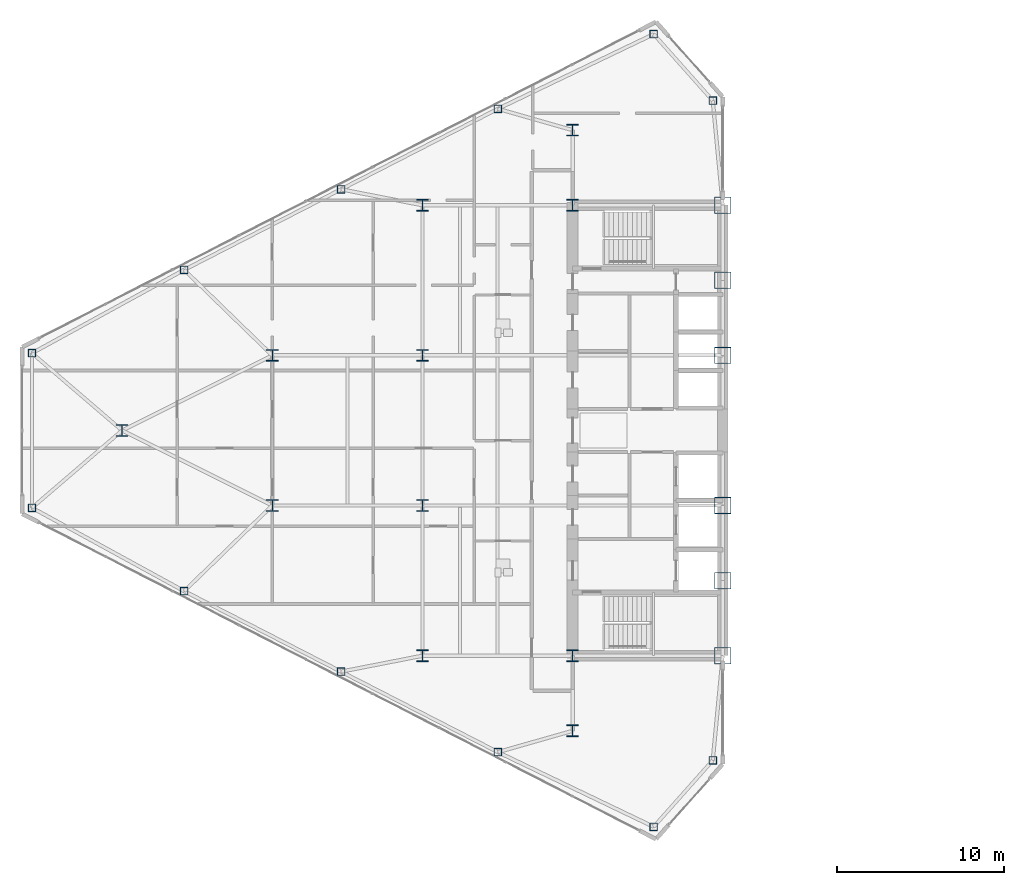
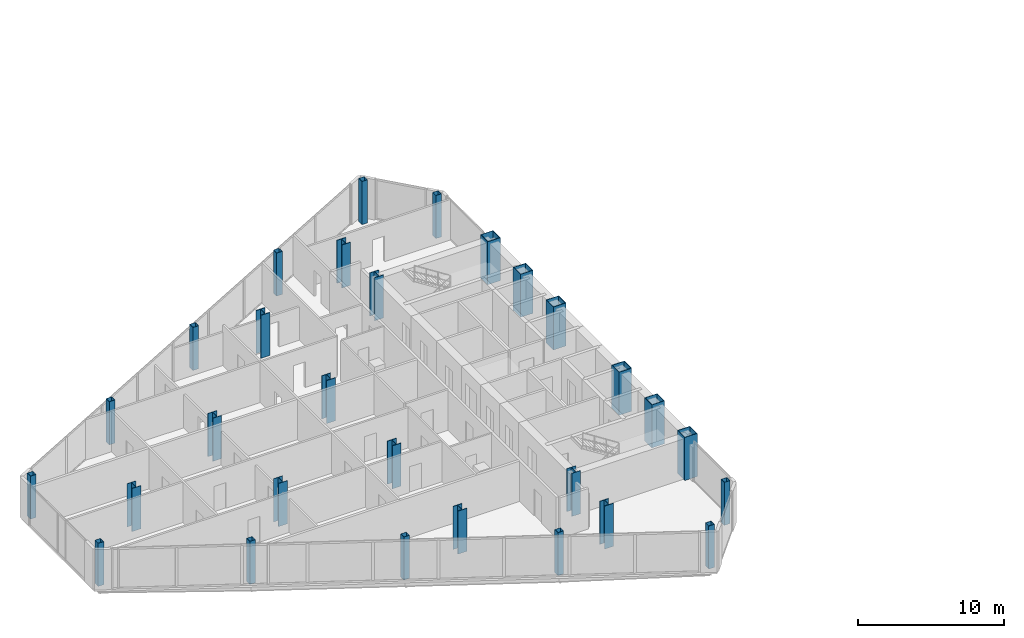
# One storey, part 1 of 24: 29 columns.
"""IFC4 building model written with IfcOpenShell, lengths in metres."""

from ifc_helpers import new_model, si_unit, direction, frame, origin, origin_2d, place, context, subcontext, project, spatial, hollow_rectangle, i_section, extrude, source, transform, mapped, material, material_profile, profile_set, type_object, type_shapes, element, save


model = new_model("IFC4")

# Units and contexts
model_context = context("Model", 3, precision=1e-05, world=origin(), true_north=direction((0.0, 1.0)))
body_context = subcontext(model_context, "Body", "Model", "MODEL_VIEW")
ifc_project = project(units=[si_unit("LENGTHUNIT", "METRE"), si_unit("AREAUNIT", "SQUARE_METRE"), si_unit("VOLUMEUNIT", "CUBIC_METRE"), si_unit("PLANEANGLEUNIT", "RADIAN"), si_unit("MASSUNIT", "GRAM", prefix="KILO")], contexts=[model_context])

# Site, building, storey
site_placement = place(None, origin())
site = spatial("IfcSite", under=ifc_project, at=site_placement, CompositionType="ELEMENT")
building_placement = place(site_placement, origin())
building = spatial("IfcBuilding", under=site, at=building_placement, Name="Seokmaru Belvedere", CompositionType="ELEMENT")
storey_placement = place(building_placement, frame((0.0, 0.0, 117.60009765625)))
storey = spatial("IfcBuildingStorey", under=building, at=storey_placement, Name="L31", CompositionType="ELEMENT", Elevation=117.60009765625)

# Columns
ifc_material_1 = material(Name="Steel HSA650 (650 MPa)", Category="steel")
ifc_material_profile_1 = material_profile(ifc_material_1, hollow_rectangle(XDim=1.0, YDim=1.0, WallThickness=0.0419921875, at=origin_2d()), Name="BOX-1000x1000x42")
ifc_profile_set_1 = profile_set([ifc_material_profile_1], Name="Steel HSA650 (650 MPa)")
column_type_1 = type_object("IfcColumnType", Name="Portal Spine Column BOX-1000", PredefinedType="COLUMN", material=ifc_profile_set_1)
shared_shape_1 = source(origin(), body_context, "Body", "SweptSolid", [
    extrude(hollow_rectangle(XDim=1.0, YDim=1.0, WallThickness=0.0419921875, at=origin_2d()), origin(), (0.0, 0.0, 1.0), 3.599853515625),
])
type_shapes(column_type_1, [shared_shape_1])
for number, where, z_axis, x_axis, name in (
    (1, (-27.5, -13.5, 0.0), (0.0, 0.0, 1.0), (1.0, 0.0, 0.0), "L31 Column WS1"),
    (2, (-27.5, -9.0, 0.0), (0.0, 0.0, 1.0), (1.0, 0.0, 0.0), "L31 Column WS2"),
    (3, (-27.5, -4.5, 0.0), (0.0, 0.0, 1.0), (1.0, 0.0, 0.0), "L31 Column WS3"),
    (4, (-27.5, 4.5, 0.0), (0.0, 0.0, 1.0), (1.0, 0.0, 0.0), "L31 Column WS4"),
    (5, (-27.5, 9.0, 0.0), (0.0, 0.0, 1.0), (1.0, 0.0, 0.0), "L31 Column WS5"),
    (6, (-27.5, 13.5, 0.0), (0.0, 0.0, 1.0), (1.0, 0.0, 0.0), "L31 Column WS6"),
):
    element("IfcColumn", number, at=place(storey_placement, frame(where, z_axis=z_axis, x_axis=x_axis)), inside=storey, type_object=column_type_1, Name=name, PredefinedType="COLUMN", context=body_context, shape_type="MappedRepresentation", body=[
        mapped(shared_shape_1, transform((0.0, 0.0, 0.0), scale=1.0)),
    ])
ifc_material_2 = material(Name="Steel SM355 (355 MPa)", Category="steel")
ifc_material_profile_2 = material_profile(ifc_material_2, i_section(OverallWidth=0.699951171875, OverallDepth=0.699951171875, WebThickness=0.028076171875, FlangeThickness=0.044921875, at=origin_2d()), Name="H-700x700x28x45")
ifc_profile_set_2 = profile_set([ifc_material_profile_2], Name="Steel SM355 (355 MPa)")
column_type_2 = type_object("IfcColumnType", Name="Mid Interior Column H-700", PredefinedType="COLUMN", material=ifc_profile_set_2)
shared_shape_2 = source(origin(), body_context, "Body", "SweptSolid", [
    extrude(i_section(OverallWidth=0.699951171875, OverallDepth=0.699951171875, WebThickness=0.028076171875, FlangeThickness=0.044921875, at=origin_2d()), origin(), (0.0, 0.0, 1.0), 3.599853515625),
])
type_shapes(column_type_2, [shared_shape_2])
for number, where, z_axis, x_axis, name in (
    (7, (-36.5, -18.0, 0.0), (0.0, 0.0, 1.0), (1.0, 0.0, 0.0), "L31 Column WC1"),
    (8, (-36.5, -13.5, 0.0), (0.0, 0.0, 1.0), (1.0, 0.0, 0.0), "L31 Column WC2"),
    (9, (-36.5, 13.5, 0.0), (0.0, 0.0, 1.0), (1.0, 0.0, 0.0), "L31 Column WC3"),
    (10, (-36.5, 18.0, 0.0), (0.0, 0.0, 1.0), (1.0, 0.0, 0.0), "L31 Column WC4"),
    (11, (-45.5, -13.5, 0.0), (0.0, 0.0, 1.0), (1.0, 0.0, 0.0), "L31 Column WG5_1"),
    (12, (-45.5, -4.5, 0.0), (0.0, 0.0, 1.0), (1.0, 0.0, 0.0), "L31 Column WG5_2"),
    (13, (-45.5, 4.5, 0.0), (0.0, 0.0, 1.0), (1.0, 0.0, 0.0), "L31 Column WG5_3"),
    (14, (-45.5, 13.5, 0.0), (0.0, 0.0, 1.0), (1.0, 0.0, 0.0), "L31 Column WG5_4"),
    (15, (-54.5, -4.5, 0.0), (0.0, 0.0, 1.0), (1.0, 0.0, 0.0), "L31 Column WG4P_1"),
    (16, (-54.5, 4.5, 0.0), (0.0, 0.0, 1.0), (1.0, 0.0, 0.0), "L31 Column WG4P_2"),
    (17, (-63.5, 0.0, 0.0), (0.0, 0.0, 1.0), (1.0, 0.0, 0.0), "L31 Column WG3P_1"),
):
    element("IfcColumn", number, at=place(storey_placement, frame(where, z_axis=z_axis, x_axis=x_axis)), inside=storey, type_object=column_type_2, Name=name, PredefinedType="COLUMN", context=body_context, shape_type="MappedRepresentation", body=[
        mapped(shared_shape_2, transform((0.0, 0.0, 0.0), scale=1.0)),
    ])
ifc_material_profile_3 = material_profile(ifc_material_2, hollow_rectangle(XDim=0.449951171875, YDim=0.449951171875, WallThickness=0.01806640625, at=origin_2d()), Name="HSS-450x450x18")
ifc_profile_set_3 = profile_set([ifc_material_profile_3], Name="Steel SM355 (355 MPa)")
column_type_3 = type_object("IfcColumnType", Name="Perimeter Facet Column HSS-450", PredefinedType="COLUMN", material=ifc_profile_set_3)
shared_shape_3 = source(origin(), body_context, "Body", "SweptSolid", [
    extrude(hollow_rectangle(XDim=0.449951171875, YDim=0.449951171875, WallThickness=0.01806640625, at=origin_2d()), origin(), (0.0, 0.0, 1.0), 3.599853515625),
])
type_shapes(column_type_3, [shared_shape_3])
for number, where, z_axis, x_axis, name in (
    (18, (-28.10009765625, -19.77197265625, 0.0), (0.0, 0.0, 1.0), (1.0, 0.0, 0.0), "L31 Column WF1"),
    (19, (-28.10009765625, 19.77197265625, 0.0), (0.0, 0.0, 1.0), (1.0, 0.0, 0.0), "L31 Column WF2"),
    (20, (-31.6396484375, 23.75390625, 0.0), (0.0, 0.0, 1.0), (1.0, 0.0, 0.0), "L31 Column WF3"),
    (21, (-68.89990234375, 4.633544921875, 0.0), (0.0, 0.0, 1.0), (1.0, 0.0, 0.0), "L31 Column WF4"),
    (22, (-68.89990234375, -4.633544921875, 0.0), (0.0, 0.0, 1.0), (1.0, 0.0, 0.0), "L31 Column WF5"),
    (23, (-31.6396484375, -23.75390625, 0.0), (0.0, 0.0, 1.0), (1.0, 0.0, 0.0), "L31 Column WF6"),
    (24, (-40.975830078125, -19.277587890625, 0.0), (0.0, 0.0, 1.0), (1.0, 0.0, 0.0), "L31 Column WFLK_S1"),
    (25, (-50.377197265625, -14.453369140625, 0.0), (0.0, 0.0, 1.0), (1.0, 0.0, 0.0), "L31 Column WFLK_S2"),
    (26, (-59.778564453125, -9.62890625, 0.0), (0.0, 0.0, 1.0), (1.0, 0.0, 0.0), "L31 Column WFLK_S3"),
    (27, (-40.975830078125, 19.277587890625, 0.0), (0.0, 0.0, 1.0), (1.0, 0.0, 0.0), "L31 Column WFLK_N1"),
    (28, (-50.377197265625, 14.453369140625, 0.0), (0.0, 0.0, 1.0), (1.0, 0.0, 0.0), "L31 Column WFLK_N2"),
    (29, (-59.778564453125, 9.62890625, 0.0), (0.0, 0.0, 1.0), (1.0, 0.0, 0.0), "L31 Column WFLK_N3"),
):
    element("IfcColumn", number, at=place(storey_placement, frame(where, z_axis=z_axis, x_axis=x_axis)), inside=storey, type_object=column_type_3, Name=name, PredefinedType="COLUMN", context=body_context, shape_type="MappedRepresentation", body=[
        mapped(shared_shape_3, transform((0.0, 0.0, 0.0), scale=1.0)),
    ])

save(model, "model.ifc")
